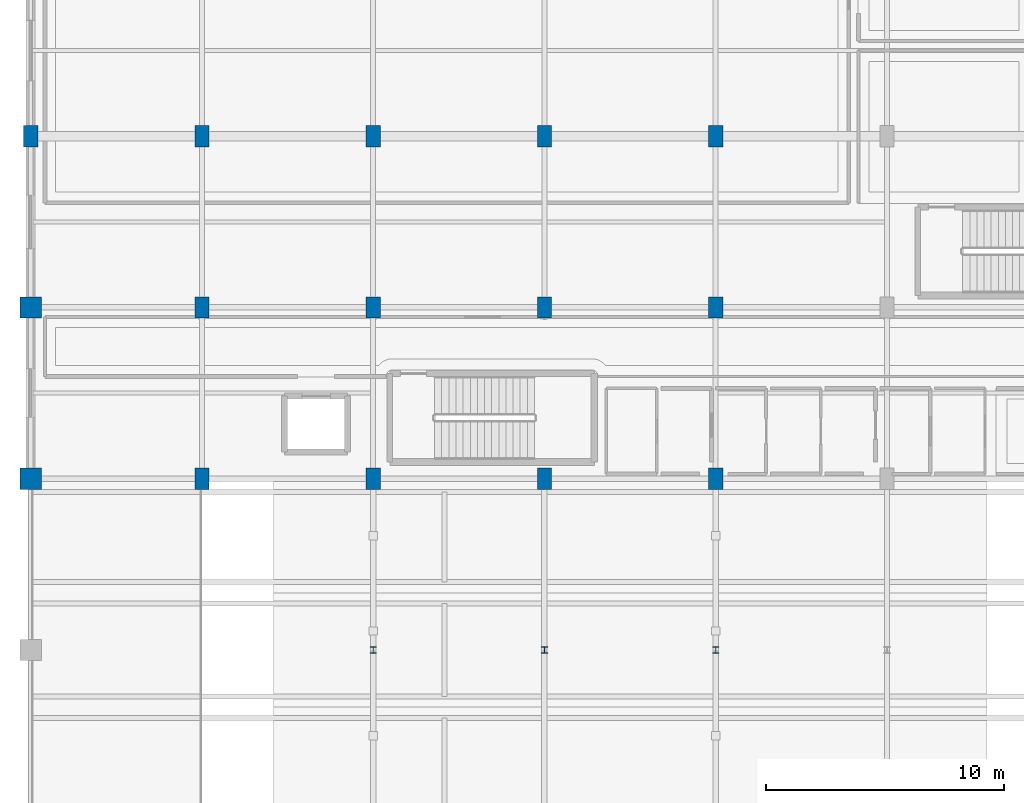
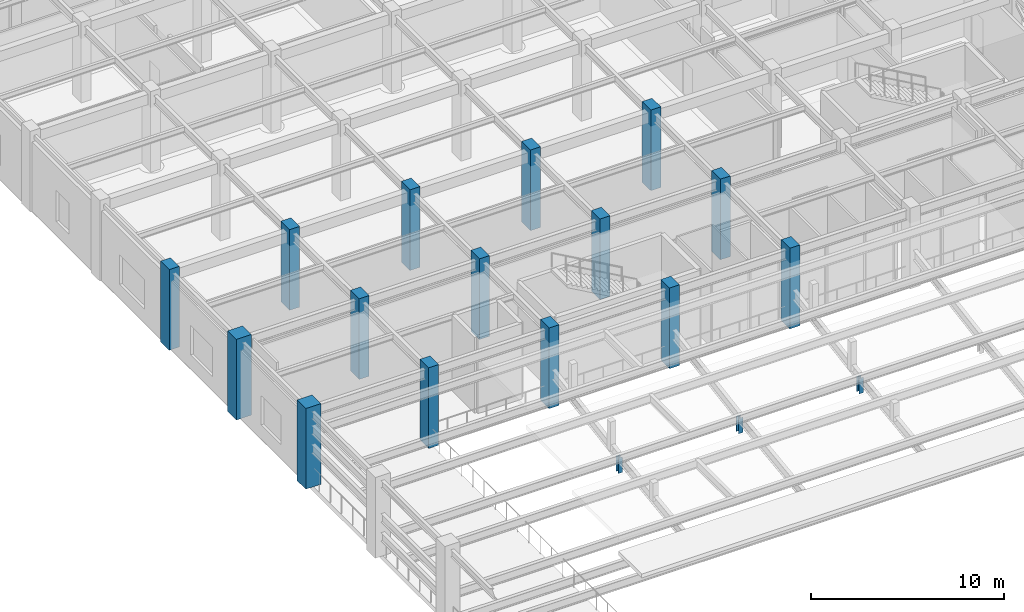
# One storey, part 2 of 117: 18 columns.
"""IFC4 building model written with IfcOpenShell, lengths in metres."""

from ifc_helpers import new_model, si_unit, direction, frame, origin, origin_2d, place, context, subcontext, project, spatial, rectangle, i_section, extrude, material, material_profile, profile_set, type_object, element, save


model = new_model("IFC4")

# Units and contexts
model_context = context("Model", 3, precision=1e-05, world=origin(), true_north=direction((0.0, 1.0)))
body_context = subcontext(model_context, "Body", "Model", "MODEL_VIEW")
ifc_project = project(units=[si_unit("LENGTHUNIT", "METRE"), si_unit("AREAUNIT", "SQUARE_METRE"), si_unit("VOLUMEUNIT", "CUBIC_METRE"), si_unit("PLANEANGLEUNIT", "RADIAN"), si_unit("MASSUNIT", "GRAM", prefix="KILO")], contexts=[model_context])

# Site, building, storey
site_placement = place(None, origin())
site = spatial("IfcSite", under=ifc_project, at=site_placement, CompositionType="ELEMENT")
building_placement = place(site_placement, origin())
building = spatial("IfcBuilding", under=site, at=building_placement, Name="Carrowvane Square Congress Hotel", CompositionType="ELEMENT")
storey_placement = place(building_placement, frame((0.0, 0.0, 5.39990234375)))
storey = spatial("IfcBuildingStorey", under=building, at=storey_placement, Name="L01", CompositionType="ELEMENT", Elevation=5.39990234375)

# Columns
ifc_material_1 = material(Name="Concrete C40/50", Category="concrete")
ifc_material_profile_1 = material_profile(ifc_material_1, rectangle(XDim=0.60009765625, YDim=0.89990234375, at=origin_2d()), Name="RC 600x900")
ifc_profile_set_1 = profile_set([ifc_material_profile_1], Name="Concrete C40/50")
column_type_1 = type_object("IfcColumnType", Name="COL-RC-600x900", PredefinedType="COLUMN", material=ifc_profile_set_1)
for number, where, z_axis, x_axis, name in (
    (1, (11.60009765625, 63.0, 0.0), (0.0, 0.0, 1.0), (1.0, 0.0, 0.0), "L01 column 1/J"),
    (2, (18.800048828125, 48.60009765625, 0.0), (0.0, 0.0, 1.0), (1.0, 0.0, 0.0), "L01 column 2/G"),
    (3, (18.800048828125, 55.800048828125, 0.0), (0.0, 0.0, 1.0), (1.0, 0.0, 0.0), "L01 column 2/H"),
    (4, (18.800048828125, 63.0, 0.0), (0.0, 0.0, 1.0), (1.0, 0.0, 0.0), "L01 column 2/J"),
    (5, (26.0, 48.60009765625, 0.0), (0.0, 0.0, 1.0), (1.0, 0.0, 0.0), "L01 column 3/G"),
    (6, (26.0, 55.800048828125, 0.0), (0.0, 0.0, 1.0), (1.0, 0.0, 0.0), "L01 column 3/H"),
    (7, (26.0, 63.0, 0.0), (0.0, 0.0, 1.0), (1.0, 0.0, 0.0), "L01 column 3/J"),
    (8, (33.199951171875, 48.60009765625, 0.0), (0.0, 0.0, 1.0), (1.0, 0.0, 0.0), "L01 column 4/G"),
    (9, (33.199951171875, 55.800048828125, 0.0), (0.0, 0.0, 1.0), (1.0, 0.0, 0.0), "L01 column 4/H"),
    (10, (33.199951171875, 63.0, 0.0), (0.0, 0.0, 1.0), (1.0, 0.0, 0.0), "L01 column 4/J"),
    (11, (40.39990234375, 48.60009765625, 0.0), (0.0, 0.0, 1.0), (1.0, 0.0, 0.0), "L01 column 5/G"),
    (12, (40.39990234375, 55.800048828125, 0.0), (0.0, 0.0, 1.0), (1.0, 0.0, 0.0), "L01 column 5/H"),
    (13, (40.39990234375, 63.0, 0.0), (0.0, 0.0, 1.0), (1.0, 0.0, 0.0), "L01 column 5/J"),
):
    element("IfcColumn", number, at=place(storey_placement, frame(where, z_axis=z_axis, x_axis=x_axis)), inside=storey, type_object=column_type_1, Name=name, PredefinedType="COLUMN", context=body_context, shape_type="SweptSolid", body=[
        extrude(rectangle(XDim=0.60009765625, YDim=0.89990234375, at=origin_2d()), origin(), (0.0, 0.0, 1.0), 5.10009765625),
    ])
ifc_material_2 = material(Name="Steel S355", Category="steel")
ifc_material_profile_2 = material_profile(ifc_material_2, i_section(OverallWidth=0.25634765625, OverallDepth=0.26025390625, WebThickness=0.01025390625, FlangeThickness=0.017333984375, FilletRadius=0.0126953125, at=origin_2d()), Name="UKC 254x254x89")
ifc_profile_set_2 = profile_set([ifc_material_profile_2], Name="Steel S355")
column_type_2 = type_object("IfcColumnType", Name="COL-ST-UKC254", PredefinedType="COLUMN", material=ifc_profile_set_2)
for number, where, z_axis, x_axis, name in (
    (14, (26.0, 41.39990234375, 0.0), (0.0, 0.0, 1.0), (1.0, 0.0, 0.0), "L01 column RK26/RY41"),
    (15, (33.199951171875, 41.39990234375, 0.0), (0.0, 0.0, 1.0), (1.0, 0.0, 0.0), "L01 column RK33/RY41"),
    (16, (40.39990234375, 41.39990234375, 0.0), (0.0, 0.0, 1.0), (1.0, 0.0, 0.0), "L01 column RK40/RY41"),
):
    element("IfcColumn", number, at=place(storey_placement, frame(where, z_axis=z_axis, x_axis=x_axis)), inside=storey, type_object=column_type_2, Name=name, PredefinedType="COLUMN", context=body_context, shape_type="SweptSolid", body=[
        extrude(i_section(OverallWidth=0.25634765625, OverallDepth=0.26025390625, WebThickness=0.01025390625, FlangeThickness=0.017333984375, FilletRadius=0.0126953125, at=origin_2d()), origin(), (0.0, 0.0, 1.0), 0.97021484375),
    ])
ifc_material_3 = material(Name="Concrete C40/50", Category="concrete")
ifc_material_profile_3 = material_profile(ifc_material_3, rectangle(XDim=0.89990234375, YDim=0.89990234375, at=origin_2d()), Name="RC 900x900")
ifc_profile_set_3 = profile_set([ifc_material_profile_3], Name="Concrete C40/50")
column_type_3 = type_object("IfcColumnType", Name="MCOL-RC-900", PredefinedType="COLUMN", material=ifc_profile_set_3)
for number, where, z_axis, x_axis, name in (
    (17, (11.60009765625, 48.60009765625, 0.0), (0.0, 0.0, 1.0), (1.0, 0.0, 0.0), "L01 column 1/G"),
    (18, (11.60009765625, 55.800048828125, 0.0), (0.0, 0.0, 1.0), (1.0, 0.0, 0.0), "L01 column 1/H"),
):
    element("IfcColumn", number, at=place(storey_placement, frame(where, z_axis=z_axis, x_axis=x_axis)), inside=storey, type_object=column_type_3, Name=name, PredefinedType="COLUMN", context=body_context, shape_type="SweptSolid", body=[
        extrude(rectangle(XDim=0.89990234375, YDim=0.89990234375, at=origin_2d()), origin(), (0.0, 0.0, 1.0), 5.10009765625),
    ])

save(model, "model.ifc")
